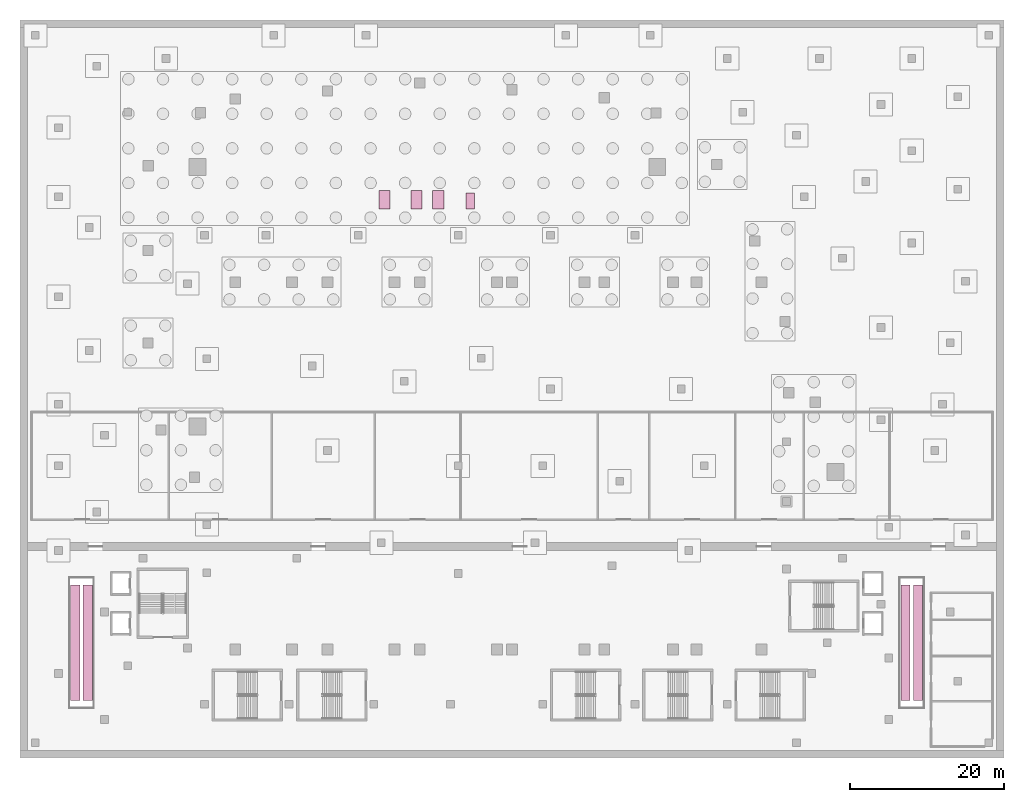
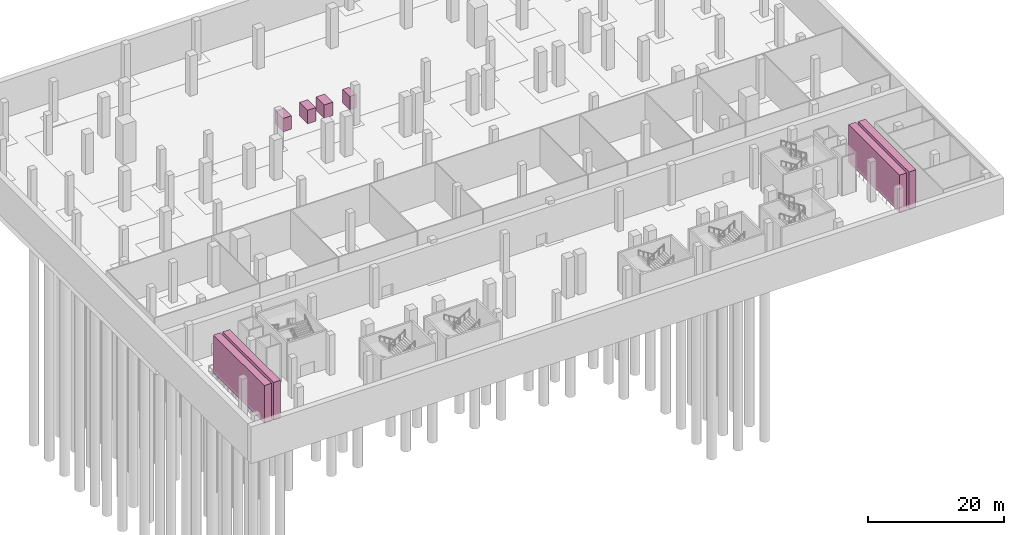
# One storey, part 15 of 15: 8 transport elements.
"""IFC4 building model written with IfcOpenShell, lengths in metres."""

from ifc_helpers import new_model, si_unit, direction, frame, origin, origin_2d, place, context, subcontext, project, spatial, rectangle, extrude, material, type_object, element, save


model = new_model("IFC4")

# Units and contexts
model_context = context("Model", 3, precision=1e-05, world=origin(), true_north=direction((0.0, 1.0)))
body_context = subcontext(model_context, "Body", "Model", "MODEL_VIEW")
ifc_project = project(units=[si_unit("LENGTHUNIT", "METRE"), si_unit("AREAUNIT", "SQUARE_METRE"), si_unit("VOLUMEUNIT", "CUBIC_METRE"), si_unit("PLANEANGLEUNIT", "RADIAN"), si_unit("MASSUNIT", "GRAM", prefix="KILO")], contexts=[model_context])

# Site, building, storey
site_placement = place(None, origin())
site = spatial("IfcSite", under=ifc_project, at=site_placement, CompositionType="ELEMENT")
building_placement = place(site_placement, origin())
building = spatial("IfcBuilding", under=site, at=building_placement, Name="Wharfspan Tower", CompositionType="ELEMENT")
storey_placement = place(building_placement, frame((0.0, 0.0, -7.199951)))
storey = spatial("IfcBuildingStorey", under=building, at=storey_placement, Name="B1", CompositionType="ELEMENT", Elevation=-7.199951)

# Transport elements
ifc_material = material(Name="Stainless steel", Category="steel")
transport_element_type_1 = type_object("IfcTransportElementType", Name="Escalator 1000", PredefinedType="ESCALATOR", material=ifc_material)
for number, where, z_axis, x_axis, name in (
    (1, (-8.800049, -21.0, 0.399902), (0.0, 0.0, 1.0), (1.0, 0.0, 0.0), "Escalator ES3"),
    (2, (-7.199951, -21.0, 0.399902), (0.0, 0.0, 1.0), (1.0, 0.0, 0.0), "Escalator ES4"),
    (3, (99.199951, -21.0, 0.399902), (0.0, 0.0, 1.0), (1.0, 0.0, 0.0), "Escalator ES7"),
    (4, (100.800049, -21.0, 0.399902), (0.0, 0.0, 1.0), (1.0, 0.0, 0.0), "Escalator ES8"),
):
    element("IfcTransportElement", number, at=place(storey_placement, frame(where, z_axis=z_axis, x_axis=x_axis)), inside=storey, type_object=transport_element_type_1, Name=name, PredefinedType="ESCALATOR", context=body_context, shape_type="SweptSolid", body=[
        extrude(rectangle(XDim=1.199951, YDim=15.0, at=origin_2d()), origin(), (0.0, 0.0, 1.0), 6.800049),
    ])
transport_element_type_2 = type_object("IfcTransportElementType", Name="Lift car", PredefinedType="ELEVATOR", material=ifc_material)
transport_element_1_placement = place(storey_placement, frame((38.416748, 36.600098, 0.0), z_axis=(0.0, 0.0, 1.0), x_axis=(1.0, 0.0, 0.0)))
element("IfcTransportElement", 5, at=transport_element_1_placement, inside=storey, type_object=transport_element_type_2, Name="Firefighting lift FF1", PredefinedType="ELEVATOR", context=body_context, shape_type="SweptSolid", body=[
    extrude(rectangle(XDim=1.47998, YDim=2.399902, at=origin_2d()), origin(), (0.0, 0.0, 1.0), 2.399902),
])
transport_element_2_placement = place(storey_placement, frame((42.583252, 36.449951, 0.0), z_axis=(0.0, 0.0, 1.0), x_axis=(1.0, 0.0, 0.0)))
element("IfcTransportElement", 6, at=transport_element_2_placement, inside=storey, type_object=transport_element_type_2, Name="Firefighting lift FF2", PredefinedType="ELEVATOR", context=body_context, shape_type="SweptSolid", body=[
    extrude(rectangle(XDim=1.100098, YDim=2.100098, at=origin_2d()), origin(), (0.0, 0.0, 1.0), 2.399902),
])
for number, where, z_axis, x_axis, name in (
    (7, (31.416748, 36.600098, 0.0), (0.0, 0.0, 1.0), (1.0, 0.0, 0.0), "Service lift SL1"),
    (8, (35.583252, 36.600098, 0.0), (0.0, 0.0, 1.0), (1.0, 0.0, 0.0), "Service lift SL2"),
):
    element("IfcTransportElement", number, at=place(storey_placement, frame(where, z_axis=z_axis, x_axis=x_axis)), inside=storey, type_object=transport_element_type_2, Name=name, PredefinedType="ELEVATOR", context=body_context, shape_type="SweptSolid", body=[
        extrude(rectangle(XDim=1.399902, YDim=2.399902, at=origin_2d()), origin(), (0.0, 0.0, 1.0), 2.399902),
    ])

save(model, "model.ifc")
